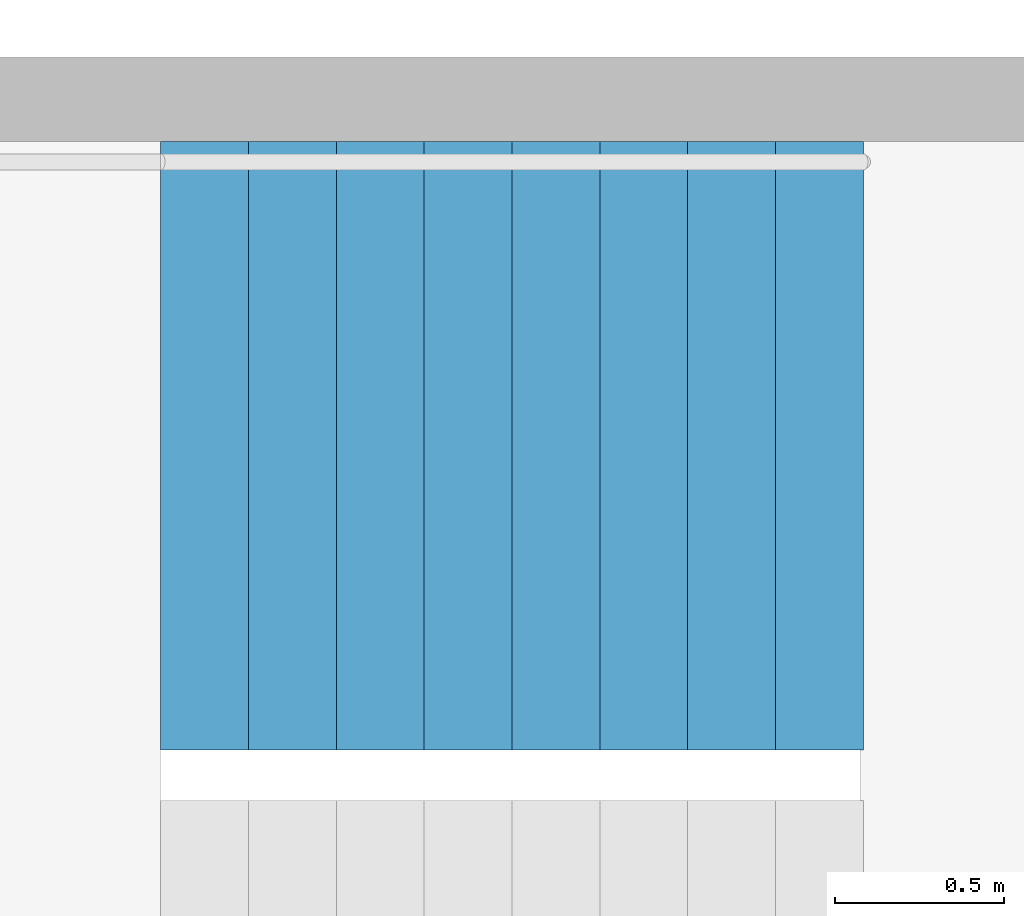
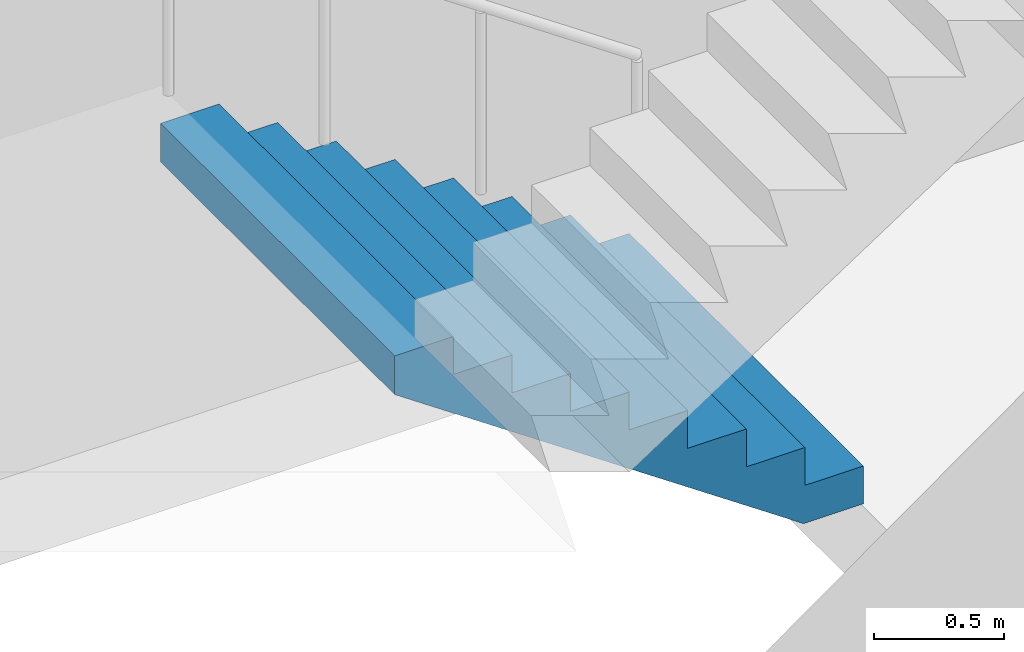
# One storey, part 22 of 29: 1 stair flight, 1 element without a shape of its own.
"""IFC4 building model written with IfcOpenShell, lengths in metres."""

from ifc_helpers import new_model, si_unit, direction, frame, origin, place, context, subcontext, project, spatial, triangles, material, type_object, element, aggregate, save


model = new_model("IFC4")

# Units and contexts
model_context = context("Model", 3, precision=1e-05, world=origin(), true_north=direction((0.0, 1.0)))
body_context = subcontext(model_context, "Body", "Model", "MODEL_VIEW")
ifc_project = project(units=[si_unit("LENGTHUNIT", "METRE"), si_unit("AREAUNIT", "SQUARE_METRE"), si_unit("VOLUMEUNIT", "CUBIC_METRE"), si_unit("PLANEANGLEUNIT", "RADIAN"), si_unit("MASSUNIT", "GRAM", prefix="KILO")], contexts=[model_context])

# Site, building, storey
site_placement = place(None, origin())
site = spatial("IfcSite", under=ifc_project, at=site_placement, CompositionType="ELEMENT")
building_placement = place(site_placement, origin())
building = spatial("IfcBuilding", under=site, at=building_placement, Name="Hakoniwa Tower and Hamabe Station Hall", CompositionType="ELEMENT")
storey_placement = place(building_placement, frame((0.0, 0.0, 78.60009765625)))
storey = spatial("IfcBuildingStorey", under=building, at=storey_placement, Name="L21", CompositionType="ELEMENT", Elevation=78.60009765625)

# Stair, stair flight
ifc_material_1 = material(Name="Concrete C40", Category="concrete")
stair_type = type_object("IfcStairType", Name="ESCAPE STAIR 1800", PredefinedType="HALF_TURN_STAIR", material=ifc_material_1)
stair_placement = place(storey_placement, origin())
stair = element("IfcStair", 1, at=stair_placement, inside=storey, type_object=stair_type, Name="Escape stair ST-2 L21", PredefinedType="HALF_TURN_STAIR")
ifc_material_2 = material(Name="Concrete C40", Category="concrete")
stair_flight_type = type_object("IfcStairFlightType", Name="STAIR FLIGHT 1800", PredefinedType="STRAIGHT", material=ifc_material_2)
stair_flight_placement = place(storey_placement, frame((-23.39990234375, -4.64990234375, 0.0), z_axis=(0.0, 0.0, 1.0), x_axis=(-1.0, 0.0, 0.0)))
stair_flight = element("IfcStairFlight", 2, at=stair_flight_placement, type_object=stair_flight_type, Name="ST-2 flight 1", NumberOfRisers=9, NumberOfTreads=8, PredefinedType="STRAIGHT", RiserHeight=0.177777778, TreadLength=0.26, context=body_context, shape_type="Tessellation", body=[
    triangles([(0.0, 0.89990234375, 0.0), (0.260009765625, 0.89990234375, 0.0), (0.265625, 0.89990234375, 0.0), (0.52001953125, 0.89990234375, 0.174072265625), (0.780029296875, 0.89990234375, 0.351806640625), (1.0400390625, 0.89990234375, 0.529541015625), (1.300048828125, 0.89990234375, 0.707275390625), (1.56005859375, 0.89990234375, 0.885009765625), (1.820068359375, 0.89990234375, 1.062744140625), (2.080078125, 0.89990234375, 1.24072265625), (2.080078125, 0.89990234375, 1.422119140625), (1.820068359375, 0.89990234375, 1.422119140625), (1.820068359375, 0.89990234375, 1.244384765625), (1.56005859375, 0.89990234375, 1.244384765625), (1.56005859375, 0.89990234375, 1.066650390625), (1.300048828125, 0.89990234375, 1.066650390625), (1.300048828125, 0.89990234375, 0.888916015625), (1.0400390625, 0.89990234375, 0.888916015625), (1.0400390625, 0.89990234375, 0.711181640625), (0.780029296875, 0.89990234375, 0.711181640625), (0.780029296875, 0.89990234375, 0.533447265625), (0.52001953125, 0.89990234375, 0.533447265625), (0.52001953125, 0.89990234375, 0.35546875), (0.265625, 0.89990234375, 0.35546875), (0.260009765625, 0.89990234375, 0.35546875), (0.260009765625, 0.89990234375, 0.177734375), (0.0, 0.89990234375, 0.177734375), (0.0, 0.06005859375, 0.0), (0.260009765625, 0.06005859375, 0.0), (0.265625, 0.06005859375, 0.0), (0.52001953125, 0.06005859375, 0.174072265625), (0.780029296875, 0.06005859375, 0.351806640625), (1.0400390625, 0.06005859375, 0.529541015625), (1.300048828125, 0.06005859375, 0.707275390625), (1.56005859375, 0.06005859375, 0.885009765625), (1.820068359375, 0.06005859375, 1.062744140625), (2.080078125, 0.06005859375, 1.24072265625), (2.080078125, 0.06005859375, 1.422119140625), (1.820068359375, 0.06005859375, 1.422119140625), (1.820068359375, 0.06005859375, 1.244384765625), (1.56005859375, 0.06005859375, 1.244384765625), (1.56005859375, 0.06005859375, 1.066650390625), (1.300048828125, 0.06005859375, 1.066650390625), (1.300048828125, 0.06005859375, 0.888916015625), (1.0400390625, 0.06005859375, 0.888916015625), (1.0400390625, 0.06005859375, 0.711181640625), (0.780029296875, 0.06005859375, 0.711181640625), (0.780029296875, 0.06005859375, 0.533447265625), (0.52001953125, 0.06005859375, 0.533447265625), (0.52001953125, 0.06005859375, 0.35546875), (0.265625, 0.06005859375, 0.35546875), (0.260009765625, 0.06005859375, 0.35546875), (0.260009765625, 0.06005859375, 0.177734375), (0.0, 0.06005859375, 0.177734375), (0.0, 0.04296875, 0.0), (0.260009765625, 0.04296875, 0.0), (0.265625, 0.04296875, 0.0), (0.52001953125, 0.04296875, 0.174072265625), (0.780029296875, 0.04296875, 0.351806640625), (1.0400390625, 0.04296875, 0.529541015625), (1.300048828125, 0.04296875, 0.707275390625), (1.56005859375, 0.04296875, 0.885009765625), (1.820068359375, 0.04296875, 1.062744140625), (2.080078125, 0.04296875, 1.24072265625), (2.080078125, 0.04296875, 1.422119140625), (1.820068359375, 0.04296875, 1.422119140625), (1.820068359375, 0.04296875, 1.244384765625), (1.56005859375, 0.04296875, 1.244384765625), (1.56005859375, 0.04296875, 1.066650390625), (1.300048828125, 0.04296875, 1.066650390625), (1.300048828125, 0.04296875, 0.888916015625), (1.0400390625, 0.04296875, 0.888916015625), (1.0400390625, 0.04296875, 0.711181640625), (0.780029296875, 0.04296875, 0.711181640625), (0.780029296875, 0.04296875, 0.533447265625), (0.52001953125, 0.04296875, 0.533447265625), (0.52001953125, 0.04296875, 0.35546875), (0.265625, 0.04296875, 0.35546875), (0.260009765625, 0.04296875, 0.35546875), (0.260009765625, 0.04296875, 0.177734375), (0.0, 0.04296875, 0.177734375), (0.0, 0.025634765625, 0.0), (0.260009765625, 0.025634765625, 0.0), (0.265625, 0.025634765625, 0.0), (0.52001953125, 0.025634765625, 0.174072265625), (0.780029296875, 0.025634765625, 0.351806640625), (1.0400390625, 0.025634765625, 0.529541015625), (1.300048828125, 0.025634765625, 0.707275390625), (1.56005859375, 0.025634765625, 0.885009765625), (1.820068359375, 0.025634765625, 1.062744140625), (2.080078125, 0.025634765625, 1.24072265625), (2.080078125, 0.025634765625, 1.422119140625), (1.820068359375, 0.025634765625, 1.422119140625), (1.820068359375, 0.025634765625, 1.244384765625), (1.56005859375, 0.025634765625, 1.244384765625), (1.56005859375, 0.025634765625, 1.066650390625), (1.300048828125, 0.025634765625, 1.066650390625), (1.300048828125, 0.025634765625, 0.888916015625), (1.0400390625, 0.025634765625, 0.888916015625), (1.0400390625, 0.025634765625, 0.711181640625), (0.780029296875, 0.025634765625, 0.711181640625), (0.780029296875, 0.025634765625, 0.533447265625), (0.52001953125, 0.025634765625, 0.533447265625), (0.52001953125, 0.025634765625, 0.35546875), (0.265625, 0.025634765625, 0.35546875), (0.260009765625, 0.025634765625, 0.35546875), (0.260009765625, 0.025634765625, 0.177734375), (0.0, 0.025634765625, 0.177734375), (0.0, 0.008544921875, 0.0), (0.260009765625, 0.008544921875, 0.0), (0.265625, 0.008544921875, 0.0), (0.52001953125, 0.008544921875, 0.174072265625), (0.780029296875, 0.008544921875, 0.351806640625), (1.0400390625, 0.008544921875, 0.529541015625), (1.300048828125, 0.008544921875, 0.707275390625), (1.56005859375, 0.008544921875, 0.885009765625), (1.820068359375, 0.008544921875, 1.062744140625), (2.080078125, 0.008544921875, 1.24072265625), (2.080078125, 0.008544921875, 1.422119140625), (1.820068359375, 0.008544921875, 1.422119140625), (1.820068359375, 0.008544921875, 1.244384765625), (1.56005859375, 0.008544921875, 1.244384765625), (1.56005859375, 0.008544921875, 1.066650390625), (1.300048828125, 0.008544921875, 1.066650390625), (1.300048828125, 0.008544921875, 0.888916015625), (1.0400390625, 0.008544921875, 0.888916015625), (1.0400390625, 0.008544921875, 0.711181640625), (0.780029296875, 0.008544921875, 0.711181640625), (0.780029296875, 0.008544921875, 0.533447265625), (0.52001953125, 0.008544921875, 0.533447265625), (0.52001953125, 0.008544921875, 0.35546875), (0.265625, 0.008544921875, 0.35546875), (0.260009765625, 0.008544921875, 0.35546875), (0.260009765625, 0.008544921875, 0.177734375), (0.0, 0.008544921875, 0.177734375), (0.0, -0.008544921875, 0.0), (0.260009765625, -0.008544921875, 0.0), (0.265625, -0.008544921875, 0.0), (0.52001953125, -0.008544921875, 0.174072265625), (0.780029296875, -0.008544921875, 0.351806640625), (1.0400390625, -0.008544921875, 0.529541015625), (1.300048828125, -0.008544921875, 0.707275390625), (1.56005859375, -0.008544921875, 0.885009765625), (1.820068359375, -0.008544921875, 1.062744140625), (2.080078125, -0.008544921875, 1.24072265625), (2.080078125, -0.008544921875, 1.422119140625), (1.820068359375, -0.008544921875, 1.422119140625), (1.820068359375, -0.008544921875, 1.244384765625), (1.56005859375, -0.008544921875, 1.244384765625), (1.56005859375, -0.008544921875, 1.066650390625), (1.300048828125, -0.008544921875, 1.066650390625), (1.300048828125, -0.008544921875, 0.888916015625), (1.0400390625, -0.008544921875, 0.888916015625), (1.0400390625, -0.008544921875, 0.711181640625), (0.780029296875, -0.008544921875, 0.711181640625), (0.780029296875, -0.008544921875, 0.533447265625), (0.52001953125, -0.008544921875, 0.533447265625), (0.52001953125, -0.008544921875, 0.35546875), (0.265625, -0.008544921875, 0.35546875), (0.260009765625, -0.008544921875, 0.35546875), (0.260009765625, -0.008544921875, 0.177734375), (0.0, -0.008544921875, 0.177734375), (0.0, -0.025634765625, 0.0), (0.260009765625, -0.025634765625, 0.0), (0.265625, -0.025634765625, 0.0), (0.52001953125, -0.025634765625, 0.174072265625), (0.780029296875, -0.025634765625, 0.351806640625), (1.0400390625, -0.025634765625, 0.529541015625), (1.300048828125, -0.025634765625, 0.707275390625), (1.56005859375, -0.025634765625, 0.885009765625), (1.820068359375, -0.025634765625, 1.062744140625), (2.080078125, -0.025634765625, 1.24072265625), (2.080078125, -0.025634765625, 1.422119140625), (1.820068359375, -0.025634765625, 1.422119140625), (1.820068359375, -0.025634765625, 1.244384765625), (1.56005859375, -0.025634765625, 1.244384765625), (1.56005859375, -0.025634765625, 1.066650390625), (1.300048828125, -0.025634765625, 1.066650390625), (1.300048828125, -0.025634765625, 0.888916015625), (1.0400390625, -0.025634765625, 0.888916015625), (1.0400390625, -0.025634765625, 0.711181640625), (0.780029296875, -0.025634765625, 0.711181640625), (0.780029296875, -0.025634765625, 0.533447265625), (0.52001953125, -0.025634765625, 0.533447265625), (0.52001953125, -0.025634765625, 0.35546875), (0.265625, -0.025634765625, 0.35546875), (0.260009765625, -0.025634765625, 0.35546875), (0.260009765625, -0.025634765625, 0.177734375), (0.0, -0.025634765625, 0.177734375), (0.0, -0.04296875, 0.0), (0.260009765625, -0.04296875, 0.0), (0.265625, -0.04296875, 0.0), (0.52001953125, -0.04296875, 0.174072265625), (0.780029296875, -0.04296875, 0.351806640625), (1.0400390625, -0.04296875, 0.529541015625), (1.300048828125, -0.04296875, 0.707275390625), (1.56005859375, -0.04296875, 0.885009765625), (1.820068359375, -0.04296875, 1.062744140625), (2.080078125, -0.04296875, 1.24072265625), (2.080078125, -0.04296875, 1.422119140625), (1.820068359375, -0.04296875, 1.422119140625), (1.820068359375, -0.04296875, 1.244384765625), (1.56005859375, -0.04296875, 1.244384765625), (1.56005859375, -0.04296875, 1.066650390625), (1.300048828125, -0.04296875, 1.066650390625), (1.300048828125, -0.04296875, 0.888916015625), (1.0400390625, -0.04296875, 0.888916015625), (1.0400390625, -0.04296875, 0.711181640625), (0.780029296875, -0.04296875, 0.711181640625), (0.780029296875, -0.04296875, 0.533447265625), (0.52001953125, -0.04296875, 0.533447265625), (0.52001953125, -0.04296875, 0.35546875), (0.265625, -0.04296875, 0.35546875), (0.260009765625, -0.04296875, 0.35546875), (0.260009765625, -0.04296875, 0.177734375), (0.0, -0.04296875, 0.177734375), (0.0, -0.06005859375, 0.0), (0.260009765625, -0.06005859375, 0.0), (0.265625, -0.06005859375, 0.0), (0.52001953125, -0.06005859375, 0.174072265625), (0.780029296875, -0.06005859375, 0.351806640625), (1.0400390625, -0.06005859375, 0.529541015625), (1.300048828125, -0.06005859375, 0.707275390625), (1.56005859375, -0.06005859375, 0.885009765625), (1.820068359375, -0.06005859375, 1.062744140625), (2.080078125, -0.06005859375, 1.24072265625), (2.080078125, -0.06005859375, 1.422119140625), (1.820068359375, -0.06005859375, 1.422119140625), (1.820068359375, -0.06005859375, 1.244384765625), (1.56005859375, -0.06005859375, 1.244384765625), (1.56005859375, -0.06005859375, 1.066650390625), (1.300048828125, -0.06005859375, 1.066650390625), (1.300048828125, -0.06005859375, 0.888916015625), (1.0400390625, -0.06005859375, 0.888916015625), (1.0400390625, -0.06005859375, 0.711181640625), (0.780029296875, -0.06005859375, 0.711181640625), (0.780029296875, -0.06005859375, 0.533447265625), (0.52001953125, -0.06005859375, 0.533447265625), (0.52001953125, -0.06005859375, 0.35546875), (0.265625, -0.06005859375, 0.35546875), (0.260009765625, -0.06005859375, 0.35546875), (0.260009765625, -0.06005859375, 0.177734375), (0.0, -0.06005859375, 0.177734375), (0.0, -0.89990234375, 0.0), (0.260009765625, -0.89990234375, 0.0), (0.265625, -0.89990234375, 0.0), (0.52001953125, -0.89990234375, 0.174072265625), (0.780029296875, -0.89990234375, 0.351806640625), (1.0400390625, -0.89990234375, 0.529541015625), (1.300048828125, -0.89990234375, 0.707275390625), (1.56005859375, -0.89990234375, 0.885009765625), (1.820068359375, -0.89990234375, 1.062744140625), (2.080078125, -0.89990234375, 1.24072265625), (2.080078125, -0.89990234375, 1.422119140625), (1.820068359375, -0.89990234375, 1.422119140625), (1.820068359375, -0.89990234375, 1.244384765625), (1.56005859375, -0.89990234375, 1.244384765625), (1.56005859375, -0.89990234375, 1.066650390625), (1.300048828125, -0.89990234375, 1.066650390625), (1.300048828125, -0.89990234375, 0.888916015625), (1.0400390625, -0.89990234375, 0.888916015625), (1.0400390625, -0.89990234375, 0.711181640625), (0.780029296875, -0.89990234375, 0.711181640625), (0.780029296875, -0.89990234375, 0.533447265625), (0.52001953125, -0.89990234375, 0.533447265625), (0.52001953125, -0.89990234375, 0.35546875), (0.265625, -0.89990234375, 0.35546875), (0.260009765625, -0.89990234375, 0.35546875), (0.260009765625, -0.89990234375, 0.177734375), (0.0, -0.89990234375, 0.177734375)], [[2, 27, 26], [245, 269, 270], [2, 1, 27], [245, 270, 244], [3, 25, 24], [246, 267, 268], [3, 26, 25], [246, 268, 269], [3, 2, 26], [246, 269, 245], [4, 24, 23], [247, 266, 267], [4, 3, 24], [247, 267, 246], [5, 22, 21], [248, 264, 265], [5, 23, 22], [248, 265, 266], [5, 4, 23], [248, 266, 247], [6, 20, 19], [249, 262, 263], [6, 21, 20], [249, 263, 264], [6, 5, 21], [249, 264, 248], [7, 18, 17], [250, 260, 261], [7, 19, 18], [250, 261, 262], [7, 6, 19], [250, 262, 249], [8, 16, 15], [251, 258, 259], [8, 17, 16], [251, 259, 260], [8, 7, 17], [251, 260, 250], [9, 14, 13], [252, 256, 257], [9, 15, 14], [252, 257, 258], [9, 8, 15], [252, 258, 251], [10, 12, 11], [253, 254, 255], [10, 13, 12], [253, 255, 256], [10, 9, 13], [253, 256, 252], [1, 2, 29], [1, 29, 28], [28, 29, 56], [28, 56, 55], [55, 56, 83], [55, 83, 82], [82, 83, 110], [82, 110, 109], [109, 110, 137], [109, 137, 136], [136, 137, 164], [136, 164, 163], [163, 164, 191], [163, 191, 190], [190, 191, 218], [190, 218, 217], [217, 218, 245], [217, 245, 244], [2, 3, 30], [2, 30, 29], [29, 30, 57], [29, 57, 56], [56, 57, 84], [56, 84, 83], [83, 84, 111], [83, 111, 110], [110, 111, 138], [110, 138, 137], [137, 138, 165], [137, 165, 164], [164, 165, 192], [164, 192, 191], [191, 192, 219], [191, 219, 218], [218, 219, 246], [218, 246, 245], [3, 4, 31], [3, 31, 30], [30, 31, 58], [30, 58, 57], [57, 58, 85], [57, 85, 84], [84, 85, 112], [84, 112, 111], [111, 112, 139], [111, 139, 138], [138, 139, 166], [138, 166, 165], [165, 166, 193], [165, 193, 192], [192, 193, 220], [192, 220, 219], [219, 220, 247], [219, 247, 246], [4, 5, 32], [4, 32, 31], [31, 32, 59], [31, 59, 58], [58, 59, 86], [58, 86, 85], [85, 86, 113], [85, 113, 112], [112, 113, 140], [112, 140, 139], [139, 140, 167], [139, 167, 166], [166, 167, 194], [166, 194, 193], [193, 194, 221], [193, 221, 220], [220, 221, 248], [220, 248, 247], [5, 6, 33], [5, 33, 32], [32, 33, 60], [32, 60, 59], [59, 60, 87], [59, 87, 86], [86, 87, 114], [86, 114, 113], [113, 114, 141], [113, 141, 140], [140, 141, 168], [140, 168, 167], [167, 168, 195], [167, 195, 194], [194, 195, 222], [194, 222, 221], [221, 222, 249], [221, 249, 248], [6, 7, 34], [6, 34, 33], [33, 34, 61], [33, 61, 60], [60, 61, 88], [60, 88, 87], [87, 88, 115], [87, 115, 114], [114, 115, 142], [114, 142, 141], [141, 142, 169], [141, 169, 168], [168, 169, 196], [168, 196, 195], [195, 196, 223], [195, 223, 222], [222, 223, 250], [222, 250, 249], [7, 8, 35], [7, 35, 34], [34, 35, 62], [34, 62, 61], [61, 62, 89], [61, 89, 88], [88, 89, 116], [88, 116, 115], [115, 116, 143], [115, 143, 142], [142, 143, 170], [142, 170, 169], [169, 170, 197], [169, 197, 196], [196, 197, 224], [196, 224, 223], [223, 224, 251], [223, 251, 250], [8, 9, 36], [8, 36, 35], [35, 36, 63], [35, 63, 62], [62, 63, 90], [62, 90, 89], [89, 90, 117], [89, 117, 116], [116, 117, 144], [116, 144, 143], [143, 144, 171], [143, 171, 170], [170, 171, 198], [170, 198, 197], [197, 198, 225], [197, 225, 224], [224, 225, 252], [224, 252, 251], [9, 10, 37], [9, 37, 36], [36, 37, 64], [36, 64, 63], [63, 64, 91], [63, 91, 90], [90, 91, 118], [90, 118, 117], [117, 118, 145], [117, 145, 144], [144, 145, 172], [144, 172, 171], [171, 172, 199], [171, 199, 198], [198, 199, 226], [198, 226, 225], [225, 226, 253], [225, 253, 252], [10, 11, 38], [10, 38, 37], [37, 38, 65], [37, 65, 64], [64, 65, 92], [64, 92, 91], [91, 92, 119], [91, 119, 118], [118, 119, 146], [118, 146, 145], [145, 146, 173], [145, 173, 172], [172, 173, 200], [172, 200, 199], [199, 200, 227], [199, 227, 226], [226, 227, 254], [226, 254, 253], [11, 12, 39], [11, 39, 38], [38, 39, 66], [38, 66, 65], [65, 66, 93], [65, 93, 92], [92, 93, 120], [92, 120, 119], [119, 120, 147], [119, 147, 146], [146, 147, 174], [146, 174, 173], [173, 174, 201], [173, 201, 200], [200, 201, 228], [200, 228, 227], [227, 228, 255], [227, 255, 254], [12, 13, 40], [12, 40, 39], [39, 40, 67], [39, 67, 66], [66, 67, 94], [66, 94, 93], [93, 94, 121], [93, 121, 120], [120, 121, 148], [120, 148, 147], [147, 148, 175], [147, 175, 174], [174, 175, 202], [174, 202, 201], [201, 202, 229], [201, 229, 228], [228, 229, 256], [228, 256, 255], [13, 14, 41], [13, 41, 40], [40, 41, 68], [40, 68, 67], [67, 68, 95], [67, 95, 94], [94, 95, 122], [94, 122, 121], [121, 122, 149], [121, 149, 148], [148, 149, 176], [148, 176, 175], [175, 176, 203], [175, 203, 202], [202, 203, 230], [202, 230, 229], [229, 230, 257], [229, 257, 256], [14, 15, 42], [14, 42, 41], [41, 42, 69], [41, 69, 68], [68, 69, 96], [68, 96, 95], [95, 96, 123], [95, 123, 122], [122, 123, 150], [122, 150, 149], [149, 150, 177], [149, 177, 176], [176, 177, 204], [176, 204, 203], [203, 204, 231], [203, 231, 230], [230, 231, 258], [230, 258, 257], [15, 16, 43], [15, 43, 42], [42, 43, 70], [42, 70, 69], [69, 70, 97], [69, 97, 96], [96, 97, 124], [96, 124, 123], [123, 124, 151], [123, 151, 150], [150, 151, 178], [150, 178, 177], [177, 178, 205], [177, 205, 204], [204, 205, 232], [204, 232, 231], [231, 232, 259], [231, 259, 258], [16, 17, 44], [16, 44, 43], [43, 44, 71], [43, 71, 70], [70, 71, 98], [70, 98, 97], [97, 98, 125], [97, 125, 124], [124, 125, 152], [124, 152, 151], [151, 152, 179], [151, 179, 178], [178, 179, 206], [178, 206, 205], [205, 206, 233], [205, 233, 232], [232, 233, 260], [232, 260, 259], [17, 18, 45], [17, 45, 44], [44, 45, 72], [44, 72, 71], [71, 72, 99], [71, 99, 98], [98, 99, 126], [98, 126, 125], [125, 126, 153], [125, 153, 152], [152, 153, 180], [152, 180, 179], [179, 180, 207], [179, 207, 206], [206, 207, 234], [206, 234, 233], [233, 234, 261], [233, 261, 260], [18, 19, 46], [18, 46, 45], [45, 46, 73], [45, 73, 72], [72, 73, 100], [72, 100, 99], [99, 100, 127], [99, 127, 126], [126, 127, 154], [126, 154, 153], [153, 154, 181], [153, 181, 180], [180, 181, 208], [180, 208, 207], [207, 208, 235], [207, 235, 234], [234, 235, 262], [234, 262, 261], [19, 20, 47], [19, 47, 46], [46, 47, 74], [46, 74, 73], [73, 74, 101], [73, 101, 100], [100, 101, 128], [100, 128, 127], [127, 128, 155], [127, 155, 154], [154, 155, 182], [154, 182, 181], [181, 182, 209], [181, 209, 208], [208, 209, 236], [208, 236, 235], [235, 236, 263], [235, 263, 262], [20, 21, 48], [20, 48, 47], [47, 48, 75], [47, 75, 74], [74, 75, 102], [74, 102, 101], [101, 102, 129], [101, 129, 128], [128, 129, 156], [128, 156, 155], [155, 156, 183], [155, 183, 182], [182, 183, 210], [182, 210, 209], [209, 210, 237], [209, 237, 236], [236, 237, 264], [236, 264, 263], [21, 22, 49], [21, 49, 48], [48, 49, 76], [48, 76, 75], [75, 76, 103], [75, 103, 102], [102, 103, 130], [102, 130, 129], [129, 130, 157], [129, 157, 156], [156, 157, 184], [156, 184, 183], [183, 184, 211], [183, 211, 210], [210, 211, 238], [210, 238, 237], [237, 238, 265], [237, 265, 264], [22, 23, 50], [22, 50, 49], [49, 50, 77], [49, 77, 76], [76, 77, 104], [76, 104, 103], [103, 104, 131], [103, 131, 130], [130, 131, 158], [130, 158, 157], [157, 158, 185], [157, 185, 184], [184, 185, 212], [184, 212, 211], [211, 212, 239], [211, 239, 238], [238, 239, 266], [238, 266, 265], [23, 24, 51], [23, 51, 50], [50, 51, 78], [50, 78, 77], [77, 78, 105], [77, 105, 104], [104, 105, 132], [104, 132, 131], [131, 132, 159], [131, 159, 158], [158, 159, 186], [158, 186, 185], [185, 186, 213], [185, 213, 212], [212, 213, 240], [212, 240, 239], [239, 240, 267], [239, 267, 266], [24, 25, 52], [24, 52, 51], [51, 52, 79], [51, 79, 78], [78, 79, 106], [78, 106, 105], [105, 106, 133], [105, 133, 132], [132, 133, 160], [132, 160, 159], [159, 160, 187], [159, 187, 186], [186, 187, 214], [186, 214, 213], [213, 214, 241], [213, 241, 240], [240, 241, 268], [240, 268, 267], [25, 26, 53], [25, 53, 52], [52, 53, 80], [52, 80, 79], [79, 80, 107], [79, 107, 106], [106, 107, 134], [106, 134, 133], [133, 134, 161], [133, 161, 160], [160, 161, 188], [160, 188, 187], [187, 188, 215], [187, 215, 214], [214, 215, 242], [214, 242, 241], [241, 242, 269], [241, 269, 268], [26, 27, 54], [26, 54, 53], [53, 54, 81], [53, 81, 80], [80, 81, 108], [80, 108, 107], [107, 108, 135], [107, 135, 134], [134, 135, 162], [134, 162, 161], [161, 162, 189], [161, 189, 188], [188, 189, 216], [188, 216, 215], [215, 216, 243], [215, 243, 242], [242, 243, 270], [242, 270, 269], [27, 1, 28], [27, 28, 54], [54, 28, 55], [54, 55, 81], [81, 55, 82], [81, 82, 108], [108, 82, 109], [108, 109, 135], [135, 109, 136], [135, 136, 162], [162, 136, 163], [162, 163, 189], [189, 163, 190], [189, 190, 216], [216, 190, 217], [216, 217, 243], [243, 217, 244], [243, 244, 270]], closed=True),
])
aggregate(stair, [stair_flight])

save(model, "model.ifc")
